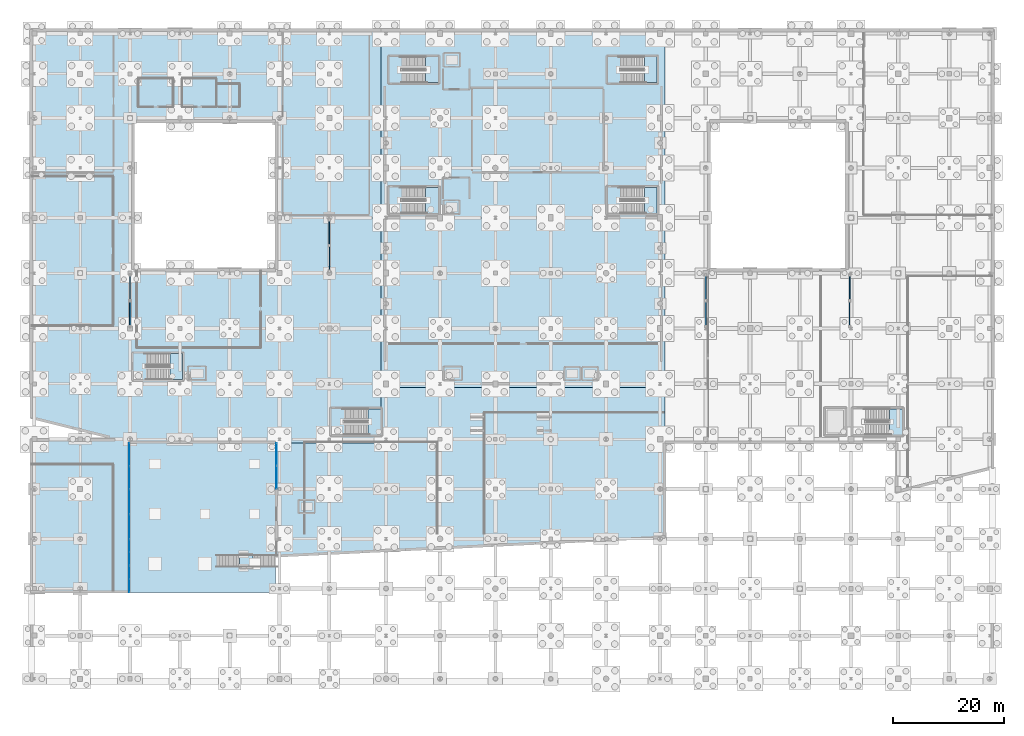
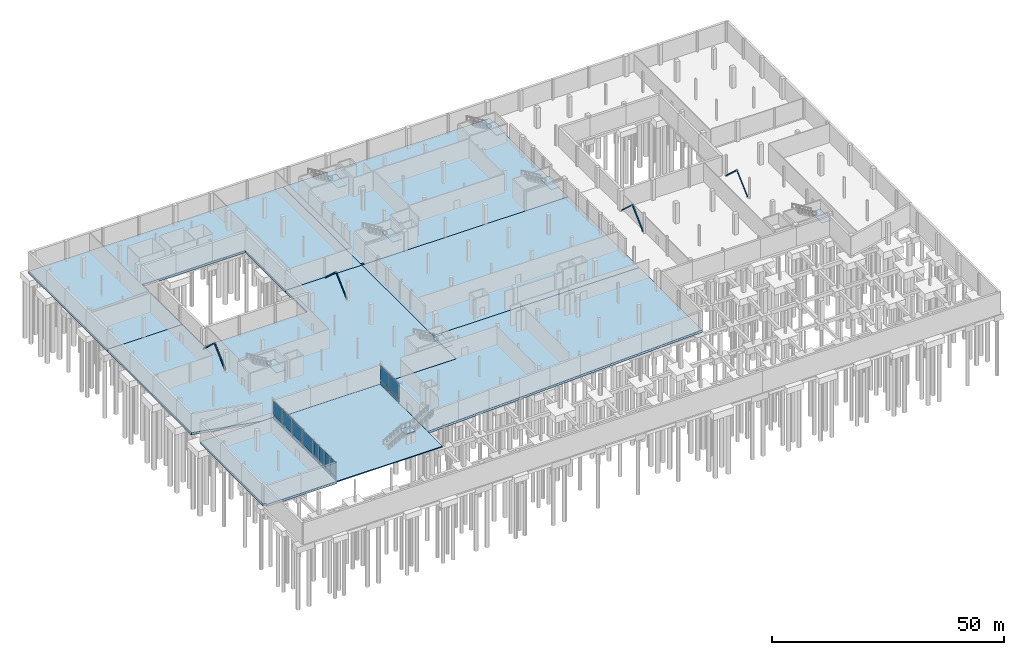
# One storey, part 38 of 60: 20 plates, 15 slabs, 8 members, 16 elements without a shape of their own.
"""IFC4 building model written with IfcOpenShell, lengths in metres."""

from ifc_helpers import new_model, si_unit, direction, frame, origin, origin_2d, place, context, subcontext, project, spatial, polyline, rectangle, hollow_rectangle, hollow_circle, outline, extrude, material, layer, layer_set, material_profile, profile_set, type_object, element, aggregate, save


model = new_model("IFC4")

# Units and contexts
model_context = context("Model", 3, precision=1e-05, world=origin(), true_north=direction((0.0, 1.0)))
body_context = subcontext(model_context, "Body", "Model", "MODEL_VIEW")
ifc_project = project(units=[si_unit("LENGTHUNIT", "METRE"), si_unit("AREAUNIT", "SQUARE_METRE"), si_unit("VOLUMEUNIT", "CUBIC_METRE"), si_unit("PLANEANGLEUNIT", "RADIAN"), si_unit("MASSUNIT", "GRAM", prefix="KILO")], contexts=[model_context])

# Site, building, storey
site_placement = place(None, origin())
site = spatial("IfcSite", under=ifc_project, at=site_placement, CompositionType="ELEMENT")
building_placement = place(site_placement, origin())
building = spatial("IfcBuilding", under=site, at=building_placement, Name="Trimount Lyric Opera House", CompositionType="ELEMENT")
storey_placement = place(building_placement, frame((0.0, 0.0, -5.39990234375)))
storey = spatial("IfcBuildingStorey", under=building, at=storey_placement, Name="B1", CompositionType="ELEMENT", Elevation=-5.39990234375)

# Members
ifc_material_1 = material(Name="Steel ASTM A500 Grade C", Category="steel")
ifc_material_profile_1 = material_profile(ifc_material_1, hollow_rectangle(XDim=0.3046875, YDim=0.3046875, WallThickness=0.01171875, InnerFilletRadius=0.01220703125, OuterFilletRadius=0.02392578125, at=origin_2d()), Name="HSS304.8X304.8X12.7")
ifc_profile_set_1 = profile_set([ifc_material_profile_1], Name="Steel ASTM A500 Grade C")
member_type_1 = type_object("IfcMemberType", Name="BR-02", PredefinedType="BRACE", material=ifc_profile_set_1)
for number, where, z_axis, x_axis, name in (
    (1, (18.0, 64.35009765625, 0.14990234375), (0.0, 0.734186864562, 0.678947455924), (-1.0, 0.0, 0.0), "B1 lateral chevron brace BF-1.1"),
    (2, (122.0, 64.35009765625, 0.14990234375), (0.0, 0.734186864562, 0.678947455924), (-1.0, 0.0, 0.0), "B1 lateral chevron brace BF-3.1"),
):
    element("IfcMember", number, at=place(storey_placement, frame(where, z_axis=z_axis, x_axis=x_axis)), inside=storey, type_object=member_type_1, Name=name, PredefinedType="BRACE", context=body_context, shape_type="SweptSolid", body=[
        extrude(hollow_rectangle(XDim=0.3046875, YDim=0.3046875, WallThickness=0.01171875, InnerFilletRadius=0.01220703125, OuterFilletRadius=0.02392578125, at=origin_2d()), origin(), (0.0, 0.0, 1.0), 6.33349609375),
    ])
ifc_material_2 = material(Name="Steel ASTM A500 Grade C", Category="steel")
ifc_material_profile_2 = material_profile(ifc_material_2, hollow_rectangle(XDim=0.25390625, YDim=0.25390625, WallThickness=0.01171875, InnerFilletRadius=0.01220703125, OuterFilletRadius=0.02392578125, at=origin_2d()), Name="HSS254.0X254.0X12.7")
ifc_profile_set_2 = profile_set([ifc_material_profile_2], Name="Steel ASTM A500 Grade C")
member_type_2 = type_object("IfcMemberType", Name="BR-03", PredefinedType="BRACE", material=ifc_profile_set_2)
for number, where, z_axis, x_axis, name in (
    (3, (18.0, 73.64990234375, 0.14990234375), (0.0, -0.734186864562, 0.678947455924), (1.0, 0.0, 0.0), "B1 lateral chevron brace BF-1.2"),
    (4, (122.0, 73.64990234375, 0.14990234375), (0.0, -0.734186864562, 0.678947455924), (1.0, 0.0, 0.0), "B1 lateral chevron brace BF-3.2"),
):
    element("IfcMember", number, at=place(storey_placement, frame(where, z_axis=z_axis, x_axis=x_axis)), inside=storey, type_object=member_type_2, Name=name, PredefinedType="BRACE", context=body_context, shape_type="SweptSolid", body=[
        extrude(hollow_rectangle(XDim=0.25390625, YDim=0.25390625, WallThickness=0.01171875, InnerFilletRadius=0.01220703125, OuterFilletRadius=0.02392578125, at=origin_2d()), origin(), (0.0, 0.0, 1.0), 6.33349609375),
    ])
ifc_material_3 = material(Name="Steel ASTM A500 Grade C", Category="steel")
ifc_material_profile_3 = material_profile(ifc_material_3, hollow_rectangle(XDim=0.203125, YDim=0.203125, WallThickness=0.0087890625, InnerFilletRadius=0.00927734375, OuterFilletRadius=0.01806640625, at=origin_2d()), Name="HSS203.2X203.2X9.5")
ifc_profile_set_3 = profile_set([ifc_material_profile_3], Name="Steel ASTM A500 Grade C")
member_type_3 = type_object("IfcMemberType", Name="BR-04", PredefinedType="BRACE", material=ifc_profile_set_3)
for number, where, z_axis, x_axis, name in (
    (5, (54.0, 74.35009765625, 0.14990234375), (0.0, 0.734186864562, 0.678947455924), (-1.0, 0.0, 0.0), "B1 lateral chevron brace BF-2.1"),
    (6, (148.0, 64.35009765625, 0.14990234375), (0.0, 0.734186864562, 0.678947455924), (-1.0, 0.0, 0.0), "B1 lateral chevron brace BF-4.1"),
):
    element("IfcMember", number, at=place(storey_placement, frame(where, z_axis=z_axis, x_axis=x_axis)), inside=storey, type_object=member_type_3, Name=name, PredefinedType="BRACE", context=body_context, shape_type="SweptSolid", body=[
        extrude(hollow_rectangle(XDim=0.203125, YDim=0.203125, WallThickness=0.0087890625, InnerFilletRadius=0.00927734375, OuterFilletRadius=0.01806640625, at=origin_2d()), origin(), (0.0, 0.0, 1.0), 6.33349609375),
    ])
ifc_material_4 = material(Name="Steel ASTM A500 Grade C", Category="steel")
ifc_material_profile_4 = material_profile(ifc_material_4, hollow_circle(Radius=0.161865234375, WallThickness=0.01171875, at=origin_2d()), Name="HSS323.9X12.7")
ifc_profile_set_4 = profile_set([ifc_material_profile_4], Name="Steel ASTM A500 Grade C")
member_type_4 = type_object("IfcMemberType", Name="BR-05", PredefinedType="BRACE", material=ifc_profile_set_4)
for number, where, z_axis, x_axis, name in (
    (7, (54.0, 83.64990234375, 0.14990234375), (0.0, -0.734186864562, 0.678947455924), (1.0, 0.0, 0.0), "B1 lateral chevron brace BF-2.2"),
    (8, (148.0, 73.64990234375, 0.14990234375), (0.0, -0.734186864562, 0.678947455924), (1.0, 0.0, 0.0), "B1 lateral chevron brace BF-4.2"),
):
    element("IfcMember", number, at=place(storey_placement, frame(where, z_axis=z_axis, x_axis=x_axis)), inside=storey, type_object=member_type_4, Name=name, PredefinedType="BRACE", context=body_context, shape_type="SweptSolid", body=[
        extrude(hollow_circle(Radius=0.161865234375, WallThickness=0.01171875, at=origin_2d()), origin(), (0.0, 0.0, 1.0), 6.33349609375),
    ])

# Curtain wall, plate
ifc_material_5 = material(Name="Thermally Broken Aluminium and Low-E Glass", Category="aluminium")
curtain_wall_type = type_object("IfcCurtainWallType", Name="CW-04", PredefinedType="NOTDEFINED", material=ifc_material_5)
curtain_wall_1_placement = place(storey_placement, origin())
curtain_wall_1 = element("IfcCurtainWall", 9, at=curtain_wall_1_placement, inside=storey, type_object=curtain_wall_type, Name="B1 curtain wall 001", PredefinedType="NOTDEFINED")
ifc_material_6 = material(Name="Double Low-E Insulated Vision Glass", Category="glass")
ifc_layer_1 = layer(ifc_material_6, 0.028076171875)
ifc_layer_set_1 = layer_set([ifc_layer_1], Name="CWP-03")
plate_type_1 = type_object("IfcPlateType", Name="CWP-03", PredefinedType="CURTAIN_PANEL", material=ifc_layer_set_1)
plate_1_placement = place(storey_placement, frame((44.4599609375, 37.080078125, 0.134765625), z_axis=(0.0, 0.0, 1.0), x_axis=(0.0, 1.0, 0.0)))
plate_1 = element("IfcPlate", 10, at=plate_1_placement, type_object=plate_type_1, Name="CW-04 panel 1.1", PredefinedType="CURTAIN_PANEL", context=body_context, shape_type="SweptSolid", body=[
    extrude(rectangle(XDim=4.030029296875, YDim=0.028076171875, at=origin_2d()), origin(), (0.0, 0.0, 1.0), 0.847412109375),
])

curtain_wall_2_placement = place(storey_placement, origin())
curtain_wall_2 = element("IfcCurtainWall", 11, at=curtain_wall_2_placement, inside=storey, type_object=curtain_wall_type, Name="B1 curtain wall 002", PredefinedType="NOTDEFINED")
plate_2_placement = place(storey_placement, frame((44.4599609375, 41.284912109375, 0.114990234375), z_axis=(0.0, 0.0, 1.0), x_axis=(0.0, 1.0, 0.0)))
plate_2 = element("IfcPlate", 12, at=plate_2_placement, type_object=plate_type_1, Name="CW-04 panel 1.1", PredefinedType="CURTAIN_PANEL", context=body_context, shape_type="SweptSolid", body=[
    extrude(rectangle(XDim=3.949951171875, YDim=0.028076171875, at=origin_2d()), origin(), (0.0, 0.0, 1.0), 0.87744140625),
])

curtain_wall_3_placement = place(storey_placement, origin())
curtain_wall_3 = element("IfcCurtainWall", 13, at=curtain_wall_3_placement, inside=storey, type_object=curtain_wall_type, Name="B1 curtain wall 003", PredefinedType="NOTDEFINED")
plate_3_placement = place(storey_placement, frame((17.860107421875, 41.239990234375, 0.159912109375), z_axis=(0.0, 0.0, 1.0), x_axis=(0.0, -1.0, 0.0)))
plate_3 = element("IfcPlate", 14, at=plate_3_placement, type_object=plate_type_1, Name="CW-04 panel 1.1", PredefinedType="CURTAIN_PANEL", context=body_context, shape_type="SweptSolid", body=[
    extrude(rectangle(XDim=4.02001953125, YDim=0.028076171875, at=origin_2d()), origin(), (0.0, 0.0, 1.0), 0.81005859375),
])

curtain_wall_4_placement = place(storey_placement, origin())
curtain_wall_4 = element("IfcCurtainWall", 15, at=curtain_wall_4_placement, inside=storey, type_object=curtain_wall_type, Name="B1 curtain wall 004", PredefinedType="NOTDEFINED")
plate_4_placement = place(storey_placement, frame((17.860107421875, 37.034912109375, 0.134765625), z_axis=(0.0, 0.0, 1.0), x_axis=(0.0, -1.0, 0.0)))
plate_4 = element("IfcPlate", 16, at=plate_4_placement, type_object=plate_type_1, Name="CW-04 panel 1.1", PredefinedType="CURTAIN_PANEL", context=body_context, shape_type="SweptSolid", body=[
    extrude(rectangle(XDim=3.93994140625, YDim=0.028076171875, at=origin_2d()), origin(), (0.0, 0.0, 1.0), 0.847412109375),
])

curtain_wall_5_placement = place(storey_placement, origin())
curtain_wall_5 = element("IfcCurtainWall", 17, at=curtain_wall_5_placement, inside=storey, type_object=curtain_wall_type, Name="B1 curtain wall 005", PredefinedType="NOTDEFINED")
plate_5_placement = place(storey_placement, frame((17.860107421875, 32.705078125, 0.114990234375), z_axis=(0.0, 0.0, 1.0), x_axis=(0.0, -1.0, 0.0)))
plate_5 = element("IfcPlate", 18, at=plate_5_placement, type_object=plate_type_1, Name="CW-04 panel 1.1", PredefinedType="CURTAIN_PANEL", context=body_context, shape_type="SweptSolid", body=[
    extrude(rectangle(XDim=4.2900390625, YDim=0.028076171875, at=origin_2d()), origin(), (0.0, 0.0, 1.0), 0.87744140625),
])

curtain_wall_6_placement = place(storey_placement, origin())
curtain_wall_6 = element("IfcCurtainWall", 19, at=curtain_wall_6_placement, inside=storey, type_object=curtain_wall_type, Name="B1 curtain wall 006", PredefinedType="NOTDEFINED")
plate_6_placement = place(storey_placement, frame((17.860107421875, 28.205078125, 0.159912109375), z_axis=(0.0, 0.0, 1.0), x_axis=(0.0, -1.0, 0.0)))
plate_6 = element("IfcPlate", 20, at=plate_6_placement, type_object=plate_type_1, Name="CW-04 panel 1.1", PredefinedType="CURTAIN_PANEL", context=body_context, shape_type="SweptSolid", body=[
    extrude(rectangle(XDim=4.27001953125, YDim=0.028076171875, at=origin_2d()), origin(), (0.0, 0.0, 1.0), 0.81005859375),
])

# Curtain wall, plates
curtain_wall_7_placement = place(storey_placement, origin())
curtain_wall_7 = element("IfcCurtainWall", 21, at=curtain_wall_7_placement, inside=storey, type_object=curtain_wall_type, Name="B1 curtain wall 007", PredefinedType="NOTDEFINED")
plate_7_placement = place(storey_placement, frame((17.860107421875, 24.706298828125, 0.134765625), z_axis=(0.0, 0.0, 1.0), x_axis=(0.0, -1.0, 0.0)))
plate_7 = element("IfcPlate", 22, at=plate_7_placement, type_object=plate_type_1, Name="CW-04 panel 1.1", PredefinedType="CURTAIN_PANEL", context=body_context, shape_type="SweptSolid", body=[
    extrude(rectangle(XDim=2.277587890625, YDim=0.028076171875, at=origin_2d()), origin(), (0.0, 0.0, 1.0), 0.847412109375),
])
plate_8_placement = place(storey_placement, frame((17.860107421875, 22.36376953125, 0.134765625), z_axis=(0.0, 0.0, 1.0), x_axis=(0.0, -1.0, 0.0)))
plate_8 = element("IfcPlate", 23, at=plate_8_placement, type_object=plate_type_1, Name="CW-04 panel 2.1", PredefinedType="CURTAIN_PANEL", context=body_context, shape_type="SweptSolid", body=[
    extrude(rectangle(XDim=2.277587890625, YDim=0.028076171875, at=origin_2d()), origin(), (0.0, 0.0, 1.0), 0.847412109375),
])

curtain_wall_8_placement = place(storey_placement, origin())
curtain_wall_8 = element("IfcCurtainWall", 24, at=curtain_wall_8_placement, inside=storey, type_object=curtain_wall_type, Name="B1 curtain wall 008", PredefinedType="NOTDEFINED")
plate_9_placement = place(storey_placement, frame((17.860107421875, 19.867431640625, 0.114990234375), z_axis=(0.0, 0.0, 1.0), x_axis=(0.0, -1.0, 0.0)))
plate_9 = element("IfcPlate", 25, at=plate_9_placement, type_object=plate_type_1, Name="CW-04 panel 1.1", PredefinedType="CURTAIN_PANEL", context=body_context, shape_type="SweptSolid", body=[
    extrude(rectangle(XDim=2.284912109375, YDim=0.028076171875, at=origin_2d()), origin(), (0.0, 0.0, 1.0), 0.87744140625),
])
plate_10_placement = place(storey_placement, frame((17.860107421875, 17.5224609375, 0.114990234375), z_axis=(0.0, 0.0, 1.0), x_axis=(0.0, -1.0, 0.0)))
plate_10 = element("IfcPlate", 26, at=plate_10_placement, type_object=plate_type_1, Name="CW-04 panel 2.1", PredefinedType="CURTAIN_PANEL", context=body_context, shape_type="SweptSolid", body=[
    extrude(rectangle(XDim=2.284912109375, YDim=0.028076171875, at=origin_2d()), origin(), (0.0, 0.0, 1.0), 0.87744140625),
])

# Plate
ifc_material_7 = material(Name="Insulated Aluminium Shadow-Box Spandrel Panel", Category="aluminium")
ifc_layer_2 = layer(ifc_material_7, 0.0419921875)
ifc_layer_set_2 = layer_set([ifc_layer_2], Name="CWP-04")
plate_type_2 = type_object("IfcPlateType", Name="CWP-04", PredefinedType="CURTAIN_PANEL", material=ifc_layer_set_2)
plate_11_placement = place(storey_placement, frame((44.4599609375, 37.080078125, 1.117431640625), z_axis=(0.0, 0.0, 1.0), x_axis=(0.0, 1.0, 0.0)))
plate_11 = element("IfcPlate", 27, at=plate_11_placement, type_object=plate_type_2, Name="CW-04 panel 1.2", PredefinedType="CURTAIN_PANEL", context=body_context, shape_type="SweptSolid", body=[
    extrude(rectangle(XDim=4.030029296875, YDim=0.028076171875, at=origin_2d()), origin(), (0.0, 0.0, 1.0), 3.767578125),
])

aggregate(curtain_wall_1, [plate_1, plate_11])

plate_12_placement = place(storey_placement, frame((44.4599609375, 41.284912109375, 1.107421875), z_axis=(0.0, 0.0, 1.0), x_axis=(0.0, 1.0, 0.0)))
plate_12 = element("IfcPlate", 28, at=plate_12_placement, type_object=plate_type_2, Name="CW-04 panel 1.2", PredefinedType="CURTAIN_PANEL", context=body_context, shape_type="SweptSolid", body=[
    extrude(rectangle(XDim=3.949951171875, YDim=0.028076171875, at=origin_2d()), origin(), (0.0, 0.0, 1.0), 3.797607421875),
])

aggregate(curtain_wall_2, [plate_2, plate_12])

plate_13_placement = place(storey_placement, frame((17.860107421875, 41.239990234375, 1.1298828125), z_axis=(0.0, 0.0, 1.0), x_axis=(0.0, -1.0, 0.0)))
plate_13 = element("IfcPlate", 29, at=plate_13_placement, type_object=plate_type_2, Name="CW-04 panel 1.2", PredefinedType="CURTAIN_PANEL", context=body_context, shape_type="SweptSolid", body=[
    extrude(rectangle(XDim=4.02001953125, YDim=0.028076171875, at=origin_2d()), origin(), (0.0, 0.0, 1.0), 3.760009765625),
])

aggregate(curtain_wall_3, [plate_3, plate_13])

plate_14_placement = place(storey_placement, frame((17.860107421875, 37.034912109375, 1.1171875), z_axis=(0.0, 0.0, 1.0), x_axis=(0.0, -1.0, 0.0)))
plate_14 = element("IfcPlate", 30, at=plate_14_placement, type_object=plate_type_2, Name="CW-04 panel 1.2", PredefinedType="CURTAIN_PANEL", context=body_context, shape_type="SweptSolid", body=[
    extrude(rectangle(XDim=3.93994140625, YDim=0.028076171875, at=origin_2d()), origin(), (0.0, 0.0, 1.0), 3.797607421875),
])

aggregate(curtain_wall_4, [plate_4, plate_14])

plate_15_placement = place(storey_placement, frame((17.860107421875, 32.705078125, 1.107421875), z_axis=(0.0, 0.0, 1.0), x_axis=(0.0, -1.0, 0.0)))
plate_15 = element("IfcPlate", 31, at=plate_15_placement, type_object=plate_type_2, Name="CW-04 panel 1.2", PredefinedType="CURTAIN_PANEL", context=body_context, shape_type="SweptSolid", body=[
    extrude(rectangle(XDim=4.2900390625, YDim=0.028076171875, at=origin_2d()), origin(), (0.0, 0.0, 1.0), 3.827392578125),
])

aggregate(curtain_wall_5, [plate_5, plate_15])

plate_16_placement = place(storey_placement, frame((17.860107421875, 28.205078125, 1.1298828125), z_axis=(0.0, 0.0, 1.0), x_axis=(0.0, -1.0, 0.0)))
plate_16 = element("IfcPlate", 32, at=plate_16_placement, type_object=plate_type_2, Name="CW-04 panel 1.2", PredefinedType="CURTAIN_PANEL", context=body_context, shape_type="SweptSolid", body=[
    extrude(rectangle(XDim=4.27001953125, YDim=0.028076171875, at=origin_2d()), origin(), (0.0, 0.0, 1.0), 3.760009765625),
])

aggregate(curtain_wall_6, [plate_6, plate_16])

plate_17_placement = place(storey_placement, frame((17.860107421875, 24.706298828125, 1.1171875), z_axis=(0.0, 0.0, 1.0), x_axis=(0.0, -1.0, 0.0)))
plate_17 = element("IfcPlate", 33, at=plate_17_placement, type_object=plate_type_2, Name="CW-04 panel 1.2", PredefinedType="CURTAIN_PANEL", context=body_context, shape_type="SweptSolid", body=[
    extrude(rectangle(XDim=2.277587890625, YDim=0.028076171875, at=origin_2d()), origin(), (0.0, 0.0, 1.0), 3.797607421875),
])

plate_18_placement = place(storey_placement, frame((17.860107421875, 22.36376953125, 1.1171875), z_axis=(0.0, 0.0, 1.0), x_axis=(0.0, -1.0, 0.0)))
plate_18 = element("IfcPlate", 34, at=plate_18_placement, type_object=plate_type_2, Name="CW-04 panel 2.2", PredefinedType="CURTAIN_PANEL", context=body_context, shape_type="SweptSolid", body=[
    extrude(rectangle(XDim=2.277587890625, YDim=0.028076171875, at=origin_2d()), origin(), (0.0, 0.0, 1.0), 3.797607421875),
])

aggregate(curtain_wall_7, [plate_7, plate_17, plate_8, plate_18])

plate_19_placement = place(storey_placement, frame((17.860107421875, 19.867431640625, 1.107421875), z_axis=(0.0, 0.0, 1.0), x_axis=(0.0, -1.0, 0.0)))
plate_19 = element("IfcPlate", 35, at=plate_19_placement, type_object=plate_type_2, Name="CW-04 panel 1.2", PredefinedType="CURTAIN_PANEL", context=body_context, shape_type="SweptSolid", body=[
    extrude(rectangle(XDim=2.284912109375, YDim=0.028076171875, at=origin_2d()), origin(), (0.0, 0.0, 1.0), 3.827392578125),
])

plate_20_placement = place(storey_placement, frame((17.860107421875, 17.5224609375, 1.107421875), z_axis=(0.0, 0.0, 1.0), x_axis=(0.0, -1.0, 0.0)))
plate_20 = element("IfcPlate", 36, at=plate_20_placement, type_object=plate_type_2, Name="CW-04 panel 2.2", PredefinedType="CURTAIN_PANEL", context=body_context, shape_type="SweptSolid", body=[
    extrude(rectangle(XDim=2.284912109375, YDim=0.028076171875, at=origin_2d()), origin(), (0.0, 0.0, 1.0), 3.827392578125),
])

aggregate(curtain_wall_8, [plate_9, plate_19, plate_10, plate_20])

# Slabs
ifc_material_8 = material(Name="Concrete C40/50", Category="concrete")
ifc_layer_3 = layer(ifc_material_8, 0.60009765625)
ifc_layer_set_3 = layer_set([ifc_layer_3], Name="SL-BS600")
slab_type_1 = type_object("IfcSlabType", Name="SL-BS600", PredefinedType="BASESLAB", material=ifc_layer_set_3)
slab_1_placement = place(storey_placement, frame((0.0, 0.0, -0.60009765625)))
element("IfcSlab", 37, at=slab_1_placement, inside=storey, type_object=slab_type_1, Name="B1 floor slab B1-METRO", PredefinedType="BASESLAB", context=body_context, shape_type="SweptSolid", body=[
    extrude(outline(polyline([(0.0, 44.0), (18.0, 44.0), (18.0, 16.320068359375), (0.64990234375, 16.320068359375), (0.64990234375, 16.8701171875), (0.0, 16.8701171875), (0.0, 44.0)])), origin(), (0.0, 0.0, 1.0), 0.60009765625),
])
slab_2_placement = place(storey_placement, frame((0.0, 0.0, -0.60009765625)))
element("IfcSlab", 38, at=slab_2_placement, inside=storey, type_object=slab_type_1, Name="B1 floor slab B1-WEST-S", PredefinedType="BASESLAB", context=body_context, shape_type="SweptSolid", body=[
    extrude(outline(polyline([(63.320068359375, 43.320068359375), (18.0, 43.320068359375), (18.0, 44.0), (15.280029296875, 44.0), (0.0, 47.820068359375), (0.0, 84.0), (18.679931640625, 84.0), (18.679931640625, 74.679931640625), (44.320068359375, 74.679931640625), (44.320068359375, 84.0), (63.320068359375, 84.0), (63.320068359375, 43.320068359375)])), origin(), (0.0, 0.0, 1.0), 0.60009765625),
])
slab_3_placement = place(storey_placement, frame((0.0, 0.0, -0.60009765625)))
element("IfcSlab", 39, at=slab_3_placement, inside=storey, type_object=slab_type_1, Name="B1 floor slab B1-WEST-N", PredefinedType="BASESLAB", context=body_context, shape_type="SweptSolid", body=[
    extrude(outline(polyline([(0.0, 118.0), (63.320068359375, 118.0), (63.320068359375, 84.0), (44.320068359375, 84.0), (44.320068359375, 101.320068359375), (18.679931640625, 101.320068359375), (18.679931640625, 84.0), (0.0, 84.0), (0.0, 118.0)])), origin(), (0.0, 0.0, 1.0), 0.60009765625),
])
slab_4_placement = place(storey_placement, frame((0.0, 0.0, -0.60009765625)))
element("IfcSlab", 40, at=slab_4_placement, inside=storey, type_object=slab_type_1, Name="B1 floor slab B1-CONC", PredefinedType="BASESLAB", context=body_context, shape_type="SweptSolid", body=[
    extrude(outline(polyline([(114.679931640625, 53.320068359375), (114.679931640625, 26.199951171875), (44.320068359375, 22.766845703125), (44.320068359375, 43.320068359375), (63.320068359375, 43.320068359375), (63.320068359375, 53.320068359375), (114.679931640625, 53.320068359375)])), origin(), (0.0, 0.0, 1.0), 0.60009765625),
])
slab_5_placement = place(storey_placement, frame((0.0, 0.0, -0.60009765625)))
element("IfcSlab", 41, at=slab_5_placement, inside=storey, type_object=slab_type_1, Name="B1 floor slab B1-VOL1-S", PredefinedType="BASESLAB", context=body_context, shape_type="SweptSolid", body=[
    extrude(outline(polyline([(114.679931640625, 53.320068359375), (63.969970703125, 53.320068359375), (63.969970703125, 53.8701171875), (63.320068359375, 53.8701171875), (63.320068359375, 84.0), (114.679931640625, 84.0), (114.679931640625, 53.320068359375)])), origin(), (0.0, 0.0, 1.0), 0.60009765625),
])
slab_6_placement = place(storey_placement, frame((0.0, 0.0, -0.60009765625)))
element("IfcSlab", 42, at=slab_6_placement, inside=storey, type_object=slab_type_1, Name="B1 floor slab B1-VOL1-N", PredefinedType="BASESLAB", context=body_context, shape_type="SweptSolid", body=[
    extrude(outline(polyline([(114.679931640625, 84.0), (63.969970703125, 84.0), (63.969970703125, 84.550048828125), (63.320068359375, 84.550048828125), (63.320068359375, 118.0), (114.679931640625, 118.0), (114.679931640625, 84.0)])), origin(), (0.0, 0.0, 1.0), 0.60009765625),
])
ifc_material_9 = material(Name="Concrete C40/50", Category="concrete")
ifc_layer_4 = layer(ifc_material_9, 0.25)
ifc_layer_set_4 = layer_set([ifc_layer_4], Name="SL-EXT250")
slab_type_2 = type_object("IfcSlabType", Name="SL-EXT250", PredefinedType="FLOOR", material=ifc_layer_set_4)
slab_7_placement = place(storey_placement, frame((0.0, 0.0, -0.25)))
element("IfcSlab", 43, at=slab_7_placement, inside=storey, type_object=slab_type_2, Name="B1 terrace slab B1-PLAZA", PredefinedType="FLOOR", context=body_context, shape_type="SweptSolid", body=[
    extrude(outline(polyline([(44.320068359375, 16.320068359375), (18.0, 16.320068359375), (18.0, 43.320068359375), (44.320068359375, 43.320068359375), (44.320068359375, 16.320068359375)])), origin(), (0.0, 0.0, 1.0), 0.25),
])

# Stair, slab
ifc_material_10 = material(Name="Concrete C40/50", Category="concrete")
stair_type_1 = type_object("IfcStairType", Name="STR-CORE-C", PredefinedType="TWO_QUARTER_TURN_STAIR", material=ifc_material_10)
stair_1_placement = place(storey_placement, origin())
stair_1 = element("IfcStair", 44, at=stair_1_placement, inside=storey, type_object=stair_type_1, Name="B1 Exit Stair ST-01", PredefinedType="TWO_QUARTER_TURN_STAIR")
ifc_material_11 = material(Name="Concrete C40/50", Category="concrete")
ifc_layer_5 = layer(ifc_material_11, 0.199951171875)
ifc_layer_set_5 = layer_set([ifc_layer_5], Name="SL-LND200")
slab_type_3 = type_object("IfcSlabType", Name="SL-LND200", PredefinedType="LANDING", material=ifc_layer_set_5)
slab_8_placement = place(storey_placement, frame((0.0, 0.0, 2.5)))
slab_8 = element("IfcSlab", 45, at=slab_8_placement, type_object=slab_type_3, Name="ST-01 landing 1", PredefinedType="LANDING", context=body_context, shape_type="SweptSolid", body=[
    extrude(outline(polyline([(71.39990234375, 108.39990234375), (73.699951171875, 108.39990234375), (73.699951171875, 113.10009765625), (71.39990234375, 113.10009765625), (71.39990234375, 108.39990234375)])), origin(), (0.0, 0.0, 1.0), 0.199951171875),
])
aggregate(stair_1, [slab_8])

stair_2_placement = place(storey_placement, origin())
stair_2 = element("IfcStair", 46, at=stair_2_placement, inside=storey, type_object=stair_type_1, Name="B1 Exit Stair ST-02", PredefinedType="TWO_QUARTER_TURN_STAIR")
slab_9_placement = place(storey_placement, frame((0.0, 0.0, 2.5)))
slab_9 = element("IfcSlab", 47, at=slab_9_placement, type_object=slab_type_3, Name="ST-02 landing 1", PredefinedType="LANDING", context=body_context, shape_type="SweptSolid", body=[
    extrude(outline(polyline([(110.89990234375, 108.39990234375), (113.199951171875, 108.39990234375), (113.199951171875, 113.10009765625), (110.89990234375, 113.10009765625), (110.89990234375, 108.39990234375)])), origin(), (0.0, 0.0, 1.0), 0.199951171875),
])
aggregate(stair_2, [slab_9])

stair_3_placement = place(storey_placement, origin())
stair_3 = element("IfcStair", 48, at=stair_3_placement, inside=storey, type_object=stair_type_1, Name="B1 Exit Stair ST-03", PredefinedType="TWO_QUARTER_TURN_STAIR")
slab_10_placement = place(storey_placement, frame((0.0, 0.0, 2.5)))
slab_10 = element("IfcSlab", 49, at=slab_10_placement, type_object=slab_type_3, Name="ST-03 landing 1", PredefinedType="LANDING", context=body_context, shape_type="SweptSolid", body=[
    extrude(outline(polyline([(71.39990234375, 84.800048828125), (73.699951171875, 84.800048828125), (73.699951171875, 89.5), (71.39990234375, 89.5), (71.39990234375, 84.800048828125)])), origin(), (0.0, 0.0, 1.0), 0.199951171875),
])
aggregate(stair_3, [slab_10])

stair_4_placement = place(storey_placement, origin())
stair_4 = element("IfcStair", 50, at=stair_4_placement, inside=storey, type_object=stair_type_1, Name="B1 Exit Stair ST-04", PredefinedType="TWO_QUARTER_TURN_STAIR")
slab_11_placement = place(storey_placement, frame((0.0, 0.0, 2.5)))
slab_11 = element("IfcSlab", 51, at=slab_11_placement, type_object=slab_type_3, Name="ST-04 landing 1", PredefinedType="LANDING", context=body_context, shape_type="SweptSolid", body=[
    extrude(outline(polyline([(110.89990234375, 84.800048828125), (113.199951171875, 84.800048828125), (113.199951171875, 89.5), (110.89990234375, 89.5), (110.89990234375, 84.800048828125)])), origin(), (0.0, 0.0, 1.0), 0.199951171875),
])
aggregate(stair_4, [slab_11])

stair_5_placement = place(storey_placement, origin())
stair_5 = element("IfcStair", 52, at=stair_5_placement, inside=storey, type_object=stair_type_1, Name="B1 Exit Stair ST-05", PredefinedType="TWO_QUARTER_TURN_STAIR")
slab_12_placement = place(storey_placement, frame((0.0, 0.0, 2.5)))
slab_12 = element("IfcSlab", 53, at=slab_12_placement, type_object=slab_type_3, Name="ST-05 landing 1", PredefinedType="LANDING", context=body_context, shape_type="SweptSolid", body=[
    extrude(outline(polyline([(155.199951171875, 44.800048828125), (157.5, 44.800048828125), (157.5, 49.5), (155.199951171875, 49.5), (155.199951171875, 44.800048828125)])), origin(), (0.0, 0.0, 1.0), 0.199951171875),
])
aggregate(stair_5, [slab_12])

stair_6_placement = place(storey_placement, origin())
stair_6 = element("IfcStair", 54, at=stair_6_placement, inside=storey, type_object=stair_type_1, Name="B1 Exit Stair ST-06", PredefinedType="TWO_QUARTER_TURN_STAIR")
slab_13_placement = place(storey_placement, frame((0.0, 0.0, 2.5)))
slab_13 = element("IfcSlab", 55, at=slab_13_placement, type_object=slab_type_3, Name="ST-06 landing 1", PredefinedType="LANDING", context=body_context, shape_type="SweptSolid", body=[
    extrude(outline(polyline([(25.199951171875, 54.800048828125), (27.5, 54.800048828125), (27.5, 59.5), (25.199951171875, 59.5), (25.199951171875, 54.800048828125)])), origin(), (0.0, 0.0, 1.0), 0.199951171875),
])
aggregate(stair_6, [slab_13])

stair_7_placement = place(storey_placement, origin())
stair_7 = element("IfcStair", 56, at=stair_7_placement, inside=storey, type_object=stair_type_1, Name="B1 Exit Stair ST-07", PredefinedType="TWO_QUARTER_TURN_STAIR")
slab_14_placement = place(storey_placement, frame((0.0, 0.0, 2.5)))
slab_14 = element("IfcSlab", 57, at=slab_14_placement, type_object=slab_type_3, Name="ST-07 landing 1", PredefinedType="LANDING", context=body_context, shape_type="SweptSolid", body=[
    extrude(outline(polyline([(61.0, 44.800048828125), (63.300048828125, 44.800048828125), (63.300048828125, 49.5), (61.0, 49.5), (61.0, 44.800048828125)])), origin(), (0.0, 0.0, 1.0), 0.199951171875),
])
aggregate(stair_7, [slab_14])

ifc_material_12 = material(Name="Steel ASTM A36", Category="steel")
stair_type_2 = type_object("IfcStairType", Name="STR-FOY-1", PredefinedType="STRAIGHT_RUN_STAIR", material=ifc_material_12)
stair_8_placement = place(storey_placement, origin())
stair_8 = element("IfcStair", 58, at=stair_8_placement, inside=storey, type_object=stair_type_2, Name="Sunken Metro Forecourt Grand Stair", PredefinedType="STRAIGHT_RUN_STAIR")
slab_15_placement = place(storey_placement, frame((0.0, 0.0, 2.5)))
slab_15 = element("IfcSlab", 59, at=slab_15_placement, type_object=slab_type_3, Name="FS-01 landing 1", PredefinedType="LANDING", context=body_context, shape_type="SweptSolid", body=[
    extrude(outline(polyline([(37.780029296875, 20.89990234375), (40.179931640625, 20.89990234375), (40.179931640625, 23.10009765625), (37.780029296875, 23.10009765625), (37.780029296875, 20.89990234375)])), origin(), (0.0, 0.0, 1.0), 0.199951171875),
])
aggregate(stair_8, [slab_15])

save(model, "model.ifc")
